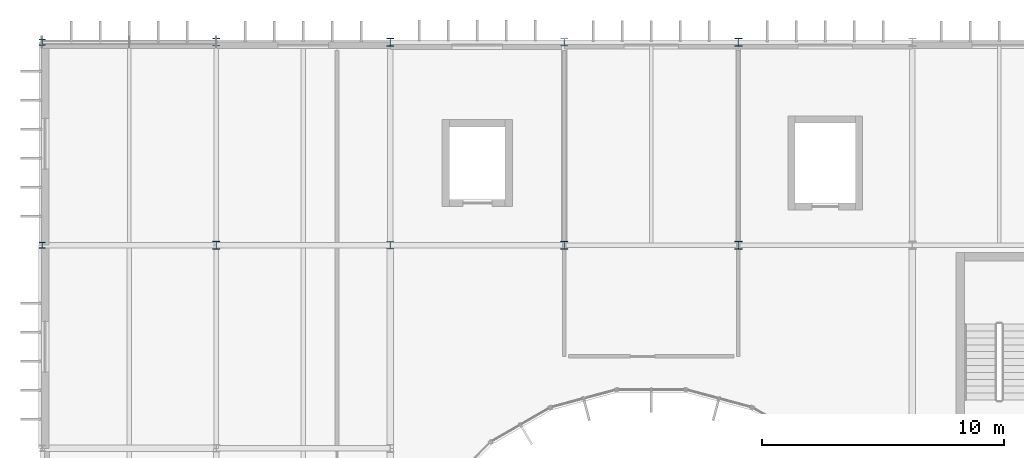
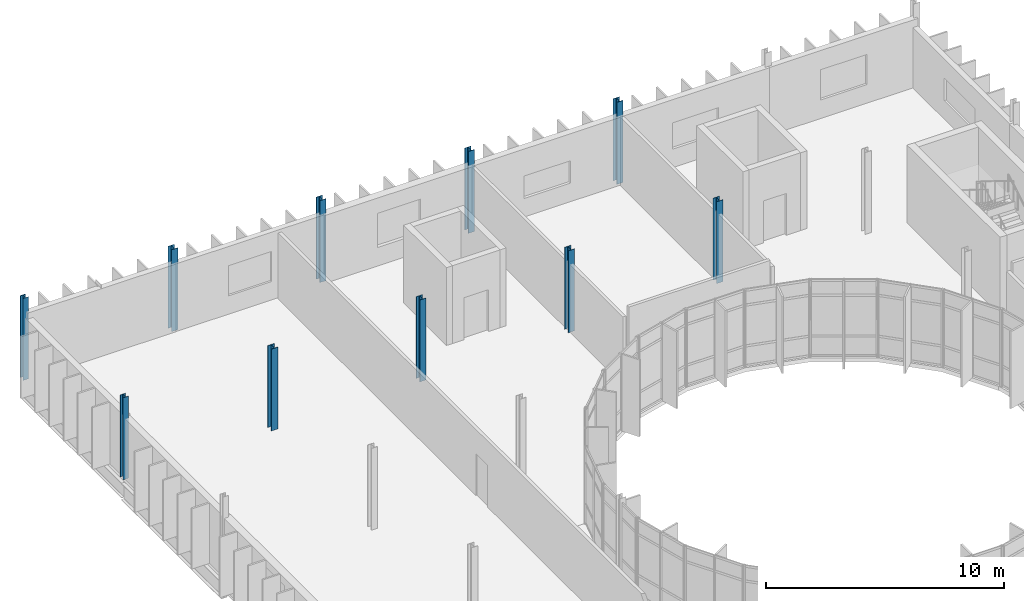
# One storey, part 8 of 61: 10 columns.
"""IFC4 building model written with IfcOpenShell, lengths in metres."""

from ifc_helpers import new_model, si_unit, direction, frame, origin, origin_2d, place, context, subcontext, project, spatial, i_section, extrude, material, material_profile, profile_set, type_object, element, save


model = new_model("IFC4")

# Units and contexts
model_context = context("Model", 3, precision=1e-05, world=origin(), true_north=direction((0.0, 1.0)))
body_context = subcontext(model_context, "Body", "Model", "MODEL_VIEW")
ifc_project = project(units=[si_unit("LENGTHUNIT", "METRE"), si_unit("AREAUNIT", "SQUARE_METRE"), si_unit("VOLUMEUNIT", "CUBIC_METRE"), si_unit("PLANEANGLEUNIT", "RADIAN"), si_unit("MASSUNIT", "GRAM", prefix="KILO")], contexts=[model_context])

# Site, building, storey
site_placement = place(None, origin())
site = spatial("IfcSite", under=ifc_project, at=site_placement, CompositionType="ELEMENT")
building_placement = place(site_placement, origin())
building = spatial("IfcBuilding", under=site, at=building_placement, Name="Qelthora Terrace Specialist Clinic", CompositionType="ELEMENT")
storey_placement = place(building_placement, frame((0.0, 0.0, 13.199951171875)))
storey = spatial("IfcBuildingStorey", under=building, at=storey_placement, Name="L03", CompositionType="ELEMENT", Elevation=13.199951171875)

# Columns
ifc_material = material(Name="Steel S355", Category="steel")
ifc_material_profile_1 = material_profile(ifc_material, i_section(OverallWidth=0.25390625, OverallDepth=0.2529296875, WebThickness=0.008544921875, FlangeThickness=0.01416015625, FilletRadius=0.012939453125, at=origin_2d()), Name="W250X73")
ifc_profile_set_1 = profile_set([ifc_material_profile_1], Name="Steel S355")
column_type_1 = type_object("IfcColumnType", Name="COL-W250X73", PredefinedType="COLUMN", material=ifc_profile_set_1)
column_1_placement = place(storey_placement, frame((0.0, 109.199951171875, 0.0), z_axis=(0.0, 0.0, 1.0), x_axis=(1.0, 0.0, 0.0)))
element("IfcColumn", 1, at=column_1_placement, inside=storey, type_object=column_type_1, Name="Column L03-014", PredefinedType="COLUMN", context=body_context, shape_type="SweptSolid", body=[
    extrude(i_section(OverallWidth=0.25390625, OverallDepth=0.2529296875, WebThickness=0.008544921875, FlangeThickness=0.01416015625, FilletRadius=0.012939453125, at=origin_2d()), origin(), (0.0, 0.0, 1.0), 4.199951171875),
])
ifc_material_profile_2 = material_profile(ifc_material, i_section(OverallWidth=0.2548828125, OverallDepth=0.256103515625, WebThickness=0.009521484375, FlangeThickness=0.015625, FilletRadius=0.012939453125, at=origin_2d()), Name="W250X80")
ifc_profile_set_2 = profile_set([ifc_material_profile_2], Name="Steel S355")
column_type_2 = type_object("IfcColumnType", Name="COL-W250X80", PredefinedType="COLUMN", material=ifc_profile_set_2)
column_2_placement = place(storey_placement, frame((0.0, 100.800048828125, 0.0), z_axis=(0.0, 0.0, 1.0), x_axis=(1.0, 0.0, 0.0)))
element("IfcColumn", 2, at=column_2_placement, inside=storey, type_object=column_type_2, Name="Column L03-013", PredefinedType="COLUMN", context=body_context, shape_type="SweptSolid", body=[
    extrude(i_section(OverallWidth=0.2548828125, OverallDepth=0.256103515625, WebThickness=0.009521484375, FlangeThickness=0.015625, FilletRadius=0.012939453125, at=origin_2d()), origin(), (0.0, 0.0, 1.0), 4.199951171875),
])
ifc_material_profile_3 = material_profile(ifc_material, i_section(OverallWidth=0.305908203125, OverallDepth=0.31103515625, WebThickness=0.010986328125, FlangeThickness=0.01708984375, FilletRadius=0.014892578125, at=origin_2d()), Name="W310X107")
ifc_profile_set_3 = profile_set([ifc_material_profile_3], Name="Steel S355")
column_type_3 = type_object("IfcColumnType", Name="COL-W310X107", PredefinedType="COLUMN", material=ifc_profile_set_3)
for number, where, z_axis, x_axis, name in (
    (3, (7.199951171875, 109.199951171875, 0.0), (0.0, 0.0, 1.0), (1.0, 0.0, 0.0), "Column L03-028"),
    (4, (21.60009765625, 100.800048828125, 0.0), (0.0, 0.0, 1.0), (1.0, 0.0, 0.0), "Column L03-052"),
):
    element("IfcColumn", number, at=place(storey_placement, frame(where, z_axis=z_axis, x_axis=x_axis)), inside=storey, type_object=column_type_3, Name=name, PredefinedType="COLUMN", context=body_context, shape_type="SweptSolid", body=[
        extrude(i_section(OverallWidth=0.305908203125, OverallDepth=0.31103515625, WebThickness=0.010986328125, FlangeThickness=0.01708984375, FilletRadius=0.014892578125, at=origin_2d()), origin(), (0.0, 0.0, 1.0), 4.199951171875),
    ])
ifc_material_profile_4 = material_profile(ifc_material, i_section(OverallWidth=0.306884765625, OverallDepth=0.31396484375, WebThickness=0.011962890625, FlangeThickness=0.018798828125, FilletRadius=0.01611328125, at=origin_2d()), Name="W310X118")
ifc_profile_set_4 = profile_set([ifc_material_profile_4], Name="Steel S355")
column_type_4 = type_object("IfcColumnType", Name="COL-W310X118", PredefinedType="COLUMN", material=ifc_profile_set_4)
for number, where, z_axis, x_axis, name in (
    (5, (7.199951171875, 100.800048828125, 0.0), (0.0, 0.0, 1.0), (1.0, 0.0, 0.0), "Column L03-027"),
    (6, (14.39990234375, 109.199951171875, 0.0), (0.0, 0.0, 1.0), (1.0, 0.0, 0.0), "Column L03-042"),
):
    element("IfcColumn", number, at=place(storey_placement, frame(where, z_axis=z_axis, x_axis=x_axis)), inside=storey, type_object=column_type_4, Name=name, PredefinedType="COLUMN", context=body_context, shape_type="SweptSolid", body=[
        extrude(i_section(OverallWidth=0.306884765625, OverallDepth=0.31396484375, WebThickness=0.011962890625, FlangeThickness=0.018798828125, FilletRadius=0.01611328125, at=origin_2d()), origin(), (0.0, 0.0, 1.0), 4.199951171875),
    ])
ifc_material_profile_5 = material_profile(ifc_material, i_section(OverallWidth=0.30810546875, OverallDepth=0.318115234375, WebThickness=0.01318359375, FlangeThickness=0.0205078125, FilletRadius=0.01611328125, at=origin_2d()), Name="W310X129")
ifc_profile_set_5 = profile_set([ifc_material_profile_5], Name="Steel S355")
column_type_5 = type_object("IfcColumnType", Name="COL-W310X129", PredefinedType="COLUMN", material=ifc_profile_set_5)
column_3_placement = place(storey_placement, frame((28.800048828125, 100.800048828125, 0.0), z_axis=(0.0, 0.0, 1.0), x_axis=(1.0, 0.0, 0.0)))
element("IfcColumn", 7, at=column_3_placement, inside=storey, type_object=column_type_5, Name="Column L03-063", PredefinedType="COLUMN", context=body_context, shape_type="SweptSolid", body=[
    extrude(i_section(OverallWidth=0.30810546875, OverallDepth=0.318115234375, WebThickness=0.01318359375, FlangeThickness=0.0205078125, FilletRadius=0.01611328125, at=origin_2d()), origin(), (0.0, 0.0, 1.0), 4.199951171875),
])
ifc_material_profile_6 = material_profile(ifc_material, i_section(OverallWidth=0.30908203125, OverallDepth=0.322998046875, WebThickness=0.013916015625, FlangeThickness=0.02294921875, FilletRadius=0.01611328125, at=origin_2d()), Name="W310X143")
ifc_profile_set_6 = profile_set([ifc_material_profile_6], Name="Steel S355")
column_type_6 = type_object("IfcColumnType", Name="COL-W310X143", PredefinedType="COLUMN", material=ifc_profile_set_6)
column_4_placement = place(storey_placement, frame((28.800048828125, 109.199951171875, 0.0), z_axis=(0.0, 0.0, 1.0), x_axis=(1.0, 0.0, 0.0)))
element("IfcColumn", 8, at=column_4_placement, inside=storey, type_object=column_type_6, Name="Column L03-064", PredefinedType="COLUMN", context=body_context, shape_type="SweptSolid", body=[
    extrude(i_section(OverallWidth=0.30908203125, OverallDepth=0.322998046875, WebThickness=0.013916015625, FlangeThickness=0.02294921875, FilletRadius=0.01611328125, at=origin_2d()), origin(), (0.0, 0.0, 1.0), 4.199951171875),
])
ifc_material_profile_7 = material_profile(ifc_material, i_section(OverallWidth=0.304931640625, OverallDepth=0.30810546875, WebThickness=0.010009765625, FlangeThickness=0.015380859375, FilletRadius=0.014892578125, at=origin_2d()), Name="W310X97")
ifc_profile_set_7 = profile_set([ifc_material_profile_7], Name="Steel S355")
column_type_7 = type_object("IfcColumnType", Name="COL-W310X97", PredefinedType="COLUMN", material=ifc_profile_set_7)
for number, where, z_axis, x_axis, name in (
    (9, (14.39990234375, 100.800048828125, 0.0), (0.0, 0.0, 1.0), (1.0, 0.0, 0.0), "Column L03-041"),
    (10, (21.60009765625, 109.199951171875, 0.0), (0.0, 0.0, 1.0), (1.0, 0.0, 0.0), "Column L03-053"),
):
    element("IfcColumn", number, at=place(storey_placement, frame(where, z_axis=z_axis, x_axis=x_axis)), inside=storey, type_object=column_type_7, Name=name, PredefinedType="COLUMN", context=body_context, shape_type="SweptSolid", body=[
        extrude(i_section(OverallWidth=0.304931640625, OverallDepth=0.30810546875, WebThickness=0.010009765625, FlangeThickness=0.015380859375, FilletRadius=0.014892578125, at=origin_2d()), origin(), (0.0, 0.0, 1.0), 4.199951171875),
    ])

save(model, "model.ifc")
